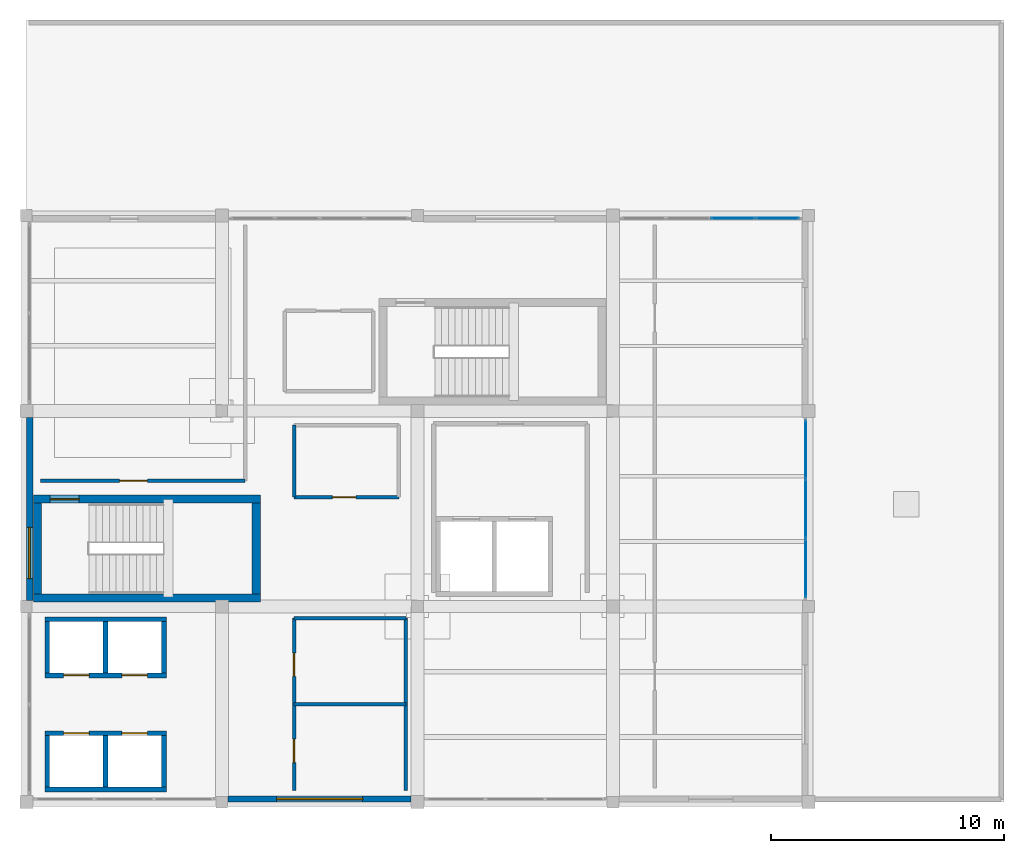
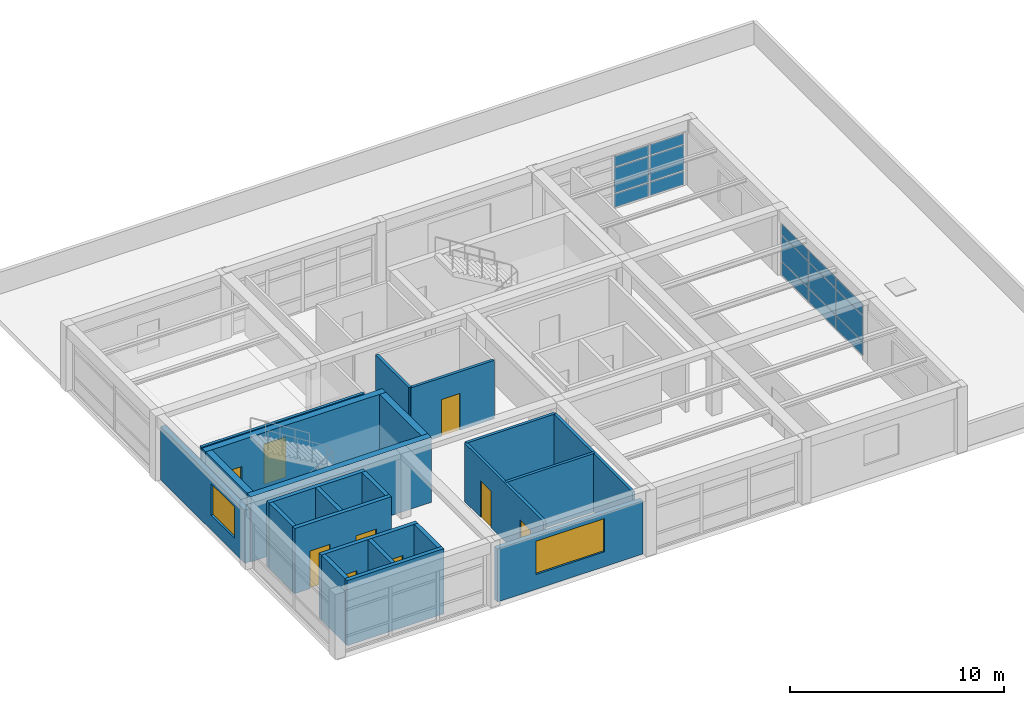
# One storey, part 19 of 22: 23 walls, 15 plates, 9 doors, 2 windows, 11 openings, 2 elements without a shape of their own.
"""IFC4 building model written with IfcOpenShell, lengths in metres."""

from ifc_helpers import new_model, si_unit, direction, frame, frame_2d, origin, origin_2d, place, context, subcontext, project, spatial, rectangle, extrude, material, layer, layer_set, type_object, element, fill, aggregate, save


model = new_model("IFC4")

# Units and contexts
model_context = context("Model", 3, precision=1e-05, world=origin(), true_north=direction((0.0, 1.0)))
body_context = subcontext(model_context, "Body", "Model", "MODEL_VIEW")
ifc_project = project(units=[si_unit("LENGTHUNIT", "METRE"), si_unit("AREAUNIT", "SQUARE_METRE"), si_unit("VOLUMEUNIT", "CUBIC_METRE"), si_unit("PLANEANGLEUNIT", "RADIAN"), si_unit("MASSUNIT", "GRAM", prefix="KILO")], contexts=[model_context])

# Site, building, storey
site_placement = place(None, origin())
site = spatial("IfcSite", under=ifc_project, at=site_placement, CompositionType="ELEMENT")
building_placement = place(site_placement, origin())
building = spatial("IfcBuilding", under=site, at=building_placement, Name="Almacenes y Pasaje Nevantli", CompositionType="ELEMENT")
storey_placement = place(building_placement, frame((0.0, 0.0, 58.699951171875)))
storey = spatial("IfcBuildingStorey", under=building, at=storey_placement, Name="L14", CompositionType="ELEMENT", Elevation=58.699951171875)

# Curtain wall, plates
ifc_material_1 = material(Name="Thermally Broken Aluminium and Low-E Glass", Category="aluminium")
curtain_wall_type = type_object("IfcCurtainWallType", Name="CW-UNIT-TOWER", PredefinedType="USERDEFINED", material=ifc_material_1)
curtain_wall_1_placement = place(storey_placement, origin())
curtain_wall_1 = element("IfcCurtainWall", 1, at=curtain_wall_1_placement, inside=storey, type_object=curtain_wall_type, Name="L14 Tower North Boulevard Unitized Curtain Wall Bay 18", ObjectType="UNITIZED CURTAIN WALL", PredefinedType="USERDEFINED")
ifc_material_2 = material(Name="Acoustic Tempered Low-E Triple Glazed Unit", Category="glass")
ifc_layer_1 = layer(ifc_material_2, 0.0419921875)
ifc_layer_set_1 = layer_set([ifc_layer_1], Name="Acoustic Tempered Low-E Triple Glazed Unit")
plate_type = type_object("IfcPlateType", Name="PL-IGU-42", PredefinedType="CURTAIN_PANEL", material=ifc_layer_set_1)
plate_1_placement = place(storey_placement, frame((147.96240234375, 92.280029296875, 0.065185546875), z_axis=(0.0, 0.0, 1.0), x_axis=(1.0, 0.0, 0.0)))
plate_1 = element("IfcPlate", 2, at=plate_1_placement, type_object=plate_type, Name="CW-L14-180 panel 3.1", PredefinedType="CURTAIN_PANEL", context=body_context, shape_type="SweptSolid", body=[
    extrude(rectangle(XDim=1.860107421875, YDim=0.0419921875, at=origin_2d()), origin(), (0.0, 0.0, 1.0), 0.75244140625),
])
plate_2_placement = place(storey_placement, frame((147.96240234375, 92.280029296875, 0.882568359375), z_axis=(0.0, 0.0, 1.0), x_axis=(1.0, 0.0, 0.0)))
plate_2 = element("IfcPlate", 3, at=plate_2_placement, type_object=plate_type, Name="CW-L14-180 panel 3.2", PredefinedType="CURTAIN_PANEL", context=body_context, shape_type="SweptSolid", body=[
    extrude(rectangle(XDim=1.860107421875, YDim=0.0419921875, at=origin_2d()), origin(), (0.0, 0.0, 1.0), 1.43505859375),
])
plate_3_placement = place(storey_placement, frame((147.96240234375, 92.280029296875, 2.38232421875), z_axis=(0.0, 0.0, 1.0), x_axis=(1.0, 0.0, 0.0)))
plate_3 = element("IfcPlate", 4, at=plate_3_placement, type_object=plate_type, Name="CW-L14-180 panel 3.3", PredefinedType="CURTAIN_PANEL", context=body_context, shape_type="SweptSolid", body=[
    extrude(rectangle(XDim=1.860107421875, YDim=0.0419921875, at=origin_2d()), origin(), (0.0, 0.0, 1.0), 0.592529296875),
])
plate_4_placement = place(storey_placement, frame((149.871337890625, 92.280029296875, 0.065185546875), z_axis=(0.0, 0.0, 1.0), x_axis=(1.0, 0.0, 0.0)))
plate_4 = element("IfcPlate", 5, at=plate_4_placement, type_object=plate_type, Name="CW-L14-180 panel 4.1", PredefinedType="CURTAIN_PANEL", context=body_context, shape_type="SweptSolid", body=[
    extrude(rectangle(XDim=1.827392578125, YDim=0.0419921875, at=origin_2d()), origin(), (0.0, 0.0, 1.0), 0.75244140625),
])
plate_5_placement = place(storey_placement, frame((149.871337890625, 92.280029296875, 0.882568359375), z_axis=(0.0, 0.0, 1.0), x_axis=(1.0, 0.0, 0.0)))
plate_5 = element("IfcPlate", 6, at=plate_5_placement, type_object=plate_type, Name="CW-L14-180 panel 4.2", PredefinedType="CURTAIN_PANEL", context=body_context, shape_type="SweptSolid", body=[
    extrude(rectangle(XDim=1.827392578125, YDim=0.0419921875, at=origin_2d()), origin(), (0.0, 0.0, 1.0), 1.43505859375),
])
plate_6_placement = place(storey_placement, frame((149.871337890625, 92.280029296875, 2.38232421875), z_axis=(0.0, 0.0, 1.0), x_axis=(1.0, 0.0, 0.0)))
plate_6 = element("IfcPlate", 7, at=plate_6_placement, type_object=plate_type, Name="CW-L14-180 panel 4.3", PredefinedType="CURTAIN_PANEL", context=body_context, shape_type="SweptSolid", body=[
    extrude(rectangle(XDim=1.827392578125, YDim=0.0419921875, at=origin_2d()), origin(), (0.0, 0.0, 1.0), 0.592529296875),
])
aggregate(curtain_wall_1, [plate_1, plate_2, plate_3, plate_4, plate_5, plate_6])

curtain_wall_2_placement = place(storey_placement, origin())
curtain_wall_2 = element("IfcCurtainWall", 8, at=curtain_wall_2_placement, inside=storey, type_object=curtain_wall_type, Name="L14 Tower East Curtain Wall Bay 10", ObjectType="UNITIZED CURTAIN WALL", PredefinedType="USERDEFINED")
plate_7_placement = place(storey_placement, frame((151.080078125, 77.248291015625, 0.06005859375), z_axis=(0.0, 0.0, 1.0), x_axis=(0.0, 1.0, 0.0)))
plate_7 = element("IfcPlate", 9, at=plate_7_placement, type_object=plate_type, Name="CW-L14-182 panel 1.1", PredefinedType="CURTAIN_PANEL", context=body_context, shape_type="SweptSolid", body=[
    extrude(rectangle(XDim=2.4765625, YDim=0.0419921875, at=origin_2d()), origin(), (0.0, 0.0, 1.0), 0.760009765625),
])
plate_8_placement = place(storey_placement, frame((151.080078125, 77.248291015625, 0.880126953125), z_axis=(0.0, 0.0, 1.0), x_axis=(0.0, 1.0, 0.0)))
plate_8 = element("IfcPlate", 10, at=plate_8_placement, type_object=plate_type, Name="CW-L14-182 panel 1.2", PredefinedType="CURTAIN_PANEL", context=body_context, shape_type="SweptSolid", body=[
    extrude(rectangle(XDim=2.4765625, YDim=0.0419921875, at=origin_2d()), origin(), (0.0, 0.0, 1.0), 1.43994140625),
])
plate_9_placement = place(storey_placement, frame((151.080078125, 77.248291015625, 2.3798828125), z_axis=(0.0, 0.0, 1.0), x_axis=(0.0, 1.0, 0.0)))
plate_9 = element("IfcPlate", 11, at=plate_9_placement, type_object=plate_type, Name="CW-L14-182 panel 1.3", PredefinedType="CURTAIN_PANEL", context=body_context, shape_type="SweptSolid", body=[
    extrude(rectangle(XDim=2.4765625, YDim=0.0419921875, at=origin_2d()), origin(), (0.0, 0.0, 1.0), 0.60009765625),
])
plate_10_placement = place(storey_placement, frame((151.080078125, 79.800048828125, 0.06005859375), z_axis=(0.0, 0.0, 1.0), x_axis=(0.0, 1.0, 0.0)))
plate_10 = element("IfcPlate", 12, at=plate_10_placement, type_object=plate_type, Name="CW-L14-182 panel 2.1", PredefinedType="CURTAIN_PANEL", context=body_context, shape_type="SweptSolid", body=[
    extrude(rectangle(XDim=2.506591796875, YDim=0.0419921875, at=origin_2d()), origin(), (0.0, 0.0, 1.0), 0.760009765625),
])
plate_11_placement = place(storey_placement, frame((151.080078125, 79.800048828125, 0.880126953125), z_axis=(0.0, 0.0, 1.0), x_axis=(0.0, 1.0, 0.0)))
plate_11 = element("IfcPlate", 13, at=plate_11_placement, type_object=plate_type, Name="CW-L14-182 panel 2.2", PredefinedType="CURTAIN_PANEL", context=body_context, shape_type="SweptSolid", body=[
    extrude(rectangle(XDim=2.506591796875, YDim=0.0419921875, at=origin_2d()), origin(), (0.0, 0.0, 1.0), 1.43994140625),
])
plate_12_placement = place(storey_placement, frame((151.080078125, 79.800048828125, 2.3798828125), z_axis=(0.0, 0.0, 1.0), x_axis=(0.0, 1.0, 0.0)))
plate_12 = element("IfcPlate", 14, at=plate_12_placement, type_object=plate_type, Name="CW-L14-182 panel 2.3", PredefinedType="CURTAIN_PANEL", context=body_context, shape_type="SweptSolid", body=[
    extrude(rectangle(XDim=2.506591796875, YDim=0.0419921875, at=origin_2d()), origin(), (0.0, 0.0, 1.0), 0.60009765625),
])
plate_13_placement = place(storey_placement, frame((151.080078125, 82.3515625, 0.06005859375), z_axis=(0.0, 0.0, 1.0), x_axis=(0.0, 1.0, 0.0)))
plate_13 = element("IfcPlate", 15, at=plate_13_placement, type_object=plate_type, Name="CW-L14-182 panel 3.1", PredefinedType="CURTAIN_PANEL", context=body_context, shape_type="SweptSolid", body=[
    extrude(rectangle(XDim=2.4765625, YDim=0.0419921875, at=origin_2d()), origin(), (0.0, 0.0, 1.0), 0.760009765625),
])
plate_14_placement = place(storey_placement, frame((151.080078125, 82.3515625, 0.880126953125), z_axis=(0.0, 0.0, 1.0), x_axis=(0.0, 1.0, 0.0)))
plate_14 = element("IfcPlate", 16, at=plate_14_placement, type_object=plate_type, Name="CW-L14-182 panel 3.2", PredefinedType="CURTAIN_PANEL", context=body_context, shape_type="SweptSolid", body=[
    extrude(rectangle(XDim=2.4765625, YDim=0.0419921875, at=origin_2d()), origin(), (0.0, 0.0, 1.0), 1.43994140625),
])
plate_15_placement = place(storey_placement, frame((151.080078125, 82.3515625, 2.3798828125), z_axis=(0.0, 0.0, 1.0), x_axis=(0.0, 1.0, 0.0)))
plate_15 = element("IfcPlate", 17, at=plate_15_placement, type_object=plate_type, Name="CW-L14-182 panel 3.3", PredefinedType="CURTAIN_PANEL", context=body_context, shape_type="SweptSolid", body=[
    extrude(rectangle(XDim=2.4765625, YDim=0.0419921875, at=origin_2d()), origin(), (0.0, 0.0, 1.0), 0.60009765625),
])
aggregate(curtain_wall_2, [plate_7, plate_8, plate_9, plate_10, plate_11, plate_12, plate_13, plate_14, plate_15])

# Wall
ifc_material_3 = material(Name="Concrete C45/55", Category="concrete")
ifc_layer_2 = layer(ifc_material_3, 0.35009765625)
ifc_layer_set_2 = layer_set([ifc_layer_2], Name="Concrete C45/55")
wall_type_1 = type_object("IfcWallType", Name="WL-CORE-350", PredefinedType="SHEAR", material=ifc_layer_set_2)
wall_1_placement = place(storey_placement, frame((117.89990234375, 75.97509765625, 0.0), z_axis=(0.0, 0.0, 1.0), x_axis=(1.0, 0.0, 0.0)))
element("IfcWall", 18, at=wall_1_placement, inside=storey, type_object=wall_type_1, Name="L14 Exit Stair ST-01 South Core Shear Wall", PredefinedType="SHEAR", context=body_context, shape_type="SweptSolid", body=[
    extrude(rectangle(XDim=9.75, YDim=0.35009765625, at=frame_2d((4.875, 0.0))), origin(), (0.0, 0.0, 1.0), 3.719970703125),
])

# Wall, opening, door
wall_2_placement = place(storey_placement, frame((117.89990234375, 80.215087890625, 0.0), z_axis=(0.0, 0.0, 1.0), x_axis=(1.0, 0.0, 0.0)))
wall_2 = element("IfcWall", 19, at=wall_2_placement, inside=storey, type_object=wall_type_1, Name="L14 Exit Stair ST-01 North Core Shear Wall", PredefinedType="SHEAR", context=body_context, shape_type="SweptSolid", body=[
    extrude(rectangle(XDim=9.75, YDim=0.35009765625, at=frame_2d((4.875, 0.0))), origin(), (0.0, 0.0, 1.0), 3.719970703125),
])
opening_1_placement = place(wall_2_placement, frame((0.719970703125, 0.0, 0.0)))
opening_1 = element("IfcOpeningElement", 20, at=opening_1_placement, cuts=wall_2, Name="Opening SD-01-L14", PredefinedType="OPENING", context=body_context, shape_type="SweptSolid", body=[
    extrude(rectangle(XDim=1.25, YDim=2.199951171875, at=frame_2d((0.625, 1.10009765625))), frame((0.0, 0.18505859375, 0.0), z_axis=(0.0, -1.0, 0.0), x_axis=(1.0, 0.0, 0.0)), (0.0, 0.0, 1.0), 0.3701171875),
])
ifc_material_4 = material(Name="Galvanized Fire-Rated Steel", Category="steel")
door_type_1 = type_object("IfcDoorType", Name="DR-STAIR-1250", OperationType="SINGLE_SWING_LEFT", PredefinedType="DOOR", material=ifc_material_4)
door_1_placement = place(opening_1_placement, origin())
door_1 = element("IfcDoor", 21, at=door_1_placement, inside=storey, type_object=door_type_1, Name="L14 Smokeproof Exit Stair ST-01 Fire Door", OperationType="SINGLE_SWING_LEFT", OverallHeight=2.199951171875, OverallWidth=1.25, PredefinedType="DOOR", context=body_context, shape_type="SweptSolid", body=[
    extrude(rectangle(XDim=1.25, YDim=2.199951171875, at=frame_2d((0.625, 1.10009765625))), frame((0.0, 0.02490234375, 0.0), z_axis=(0.0, -1.0, 0.0), x_axis=(1.0, 0.0, 0.0)), (0.0, 0.0, 1.0), 0.050048828125),
])
fill(opening_1, door_1)

# Walls
for number, where, z_axis, x_axis, name in (
    (22, (118.074951171875, 76.14990234375, 0.0), (0.0, 0.0, 1.0), (0.0, 1.0, 0.0), "L14 Exit Stair ST-01 West Core Shear Wall"),
    (23, (127.47509765625, 76.14990234375, 0.0), (0.0, 0.0, 1.0), (0.0, 1.0, 0.0), "L14 Exit Stair ST-01 East Core Shear Wall"),
):
    element("IfcWall", number, at=place(storey_placement, frame(where, z_axis=z_axis, x_axis=x_axis)), inside=storey, type_object=wall_type_1, Name=name, PredefinedType="SHEAR", context=body_context, shape_type="SweptSolid", body=[
        extrude(rectangle(XDim=3.89013671875, YDim=0.35009765625, at=frame_2d((1.945068359375, 0.0))), origin(), (0.0, 0.0, 1.0), 3.719970703125),
    ])

# Wall, opening, window
ifc_material_5 = material(Name="Architectural Precast Concrete C35/45 Spandrel Wall", Category="concrete")
ifc_layer_3 = layer(ifc_material_5, 0.280029296875)
ifc_layer_set_3 = layer_set([ifc_layer_3], Name="Architectural Precast Concrete C35/45 Spandrel Wall")
wall_type_2 = type_object("IfcWallType", Name="WL-EXT-CANTERA-280", PredefinedType="SOLIDWALL", material=ifc_layer_set_3)
wall_3_placement = place(storey_placement, frame((117.739990234375, 75.85205078125, 0.0), z_axis=(0.0, 0.0, 1.0), x_axis=(0.0, 1.0, 0.0)))
wall_3 = element("IfcWall", 24, at=wall_3_placement, inside=storey, type_object=wall_type_2, Name="L14 Tower West Cantera Wall Bay 10", PredefinedType="SOLIDWALL", context=body_context, shape_type="SweptSolid", body=[
    extrude(rectangle(XDim=7.869873046875, YDim=0.280029296875, at=frame_2d((3.93505859375, 0.0))), origin(), (0.0, 0.0, 1.0), 3.0400390625),
])
opening_2_placement = place(wall_3_placement, frame((0.947998046875, 0.0, 0.85009765625)))
opening_2 = element("IfcOpeningElement", 25, at=opening_2_placement, cuts=wall_3, Name="Opening WT-31-273", PredefinedType="OPENING", context=body_context, shape_type="SweptSolid", body=[
    extrude(rectangle(XDim=2.199951171875, YDim=1.800048828125, at=frame_2d((1.10009765625, 0.89990234375))), frame((0.0, 0.14990234375, 0.0), z_axis=(0.0, -1.0, 0.0), x_axis=(1.0, 0.0, 0.0)), (0.0, 0.0, 1.0), 0.300048828125),
])
ifc_material_6 = material(Name="Thermally Broken Aluminium and Low-E Double Glazing", Category="aluminium")
window_type_1 = type_object("IfcWindowType", Name="WN-TWR-2200x1800", PartitioningType="SINGLE_PANEL", PredefinedType="WINDOW", material=ifc_material_6)
window_1_placement = place(opening_2_placement, origin())
window_1 = element("IfcWindow", 26, at=window_1_placement, inside=storey, type_object=window_type_1, Name="L14 Exterior Window WT-31 #273", OverallHeight=1.800048828125, OverallWidth=2.199951171875, PartitioningType="SINGLE_PANEL", PredefinedType="WINDOW", context=body_context, shape_type="SweptSolid", body=[
    extrude(rectangle(XDim=2.199951171875, YDim=1.800048828125, at=frame_2d((1.10009765625, 0.89990234375))), frame((0.0, 0.030029296875, 0.0), z_axis=(0.0, -1.0, 0.0), x_axis=(1.0, 0.0, 0.0)), (0.0, 0.0, 1.0), 0.06005859375),
])
fill(opening_2, window_1)

ifc_material_7 = material(Name="Cream Architectural Precast Concrete C35/45 Wall", Category="concrete")
ifc_layer_4 = layer(ifc_material_7, 0.260009765625)
ifc_layer_set_4 = layer_set([ifc_layer_4], Name="Cream Architectural Precast Concrete C35/45 Wall")
wall_type_3 = type_object("IfcWallType", Name="WL-EXT-PRECAST-260", PredefinedType="SOLIDWALL", material=ifc_layer_set_4)
wall_4_placement = place(storey_placement, frame((126.25390625, 67.340087890625, 0.0), z_axis=(0.0, 0.0, 1.0), x_axis=(1.0, 0.0, 0.0)))
wall_4 = element("IfcWall", 27, at=wall_4_placement, inside=storey, type_object=wall_type_3, Name="L14 Tower South Precast Spandrel Wall Bay 16", PredefinedType="SOLIDWALL", context=body_context, shape_type="SweptSolid", body=[
    extrude(rectangle(XDim=7.8681640625, YDim=0.260009765625, at=frame_2d((3.93408203125, 0.0))), origin(), (0.0, 0.0, 1.0), 3.0400390625),
])
opening_3_placement = place(wall_4_placement, frame((2.095947265625, 0.0, 0.85009765625)))
opening_3 = element("IfcOpeningElement", 28, at=opening_3_placement, cuts=wall_4, Name="Opening WT-26-269", PredefinedType="OPENING", context=body_context, shape_type="SweptSolid", body=[
    extrude(rectangle(XDim=3.699951171875, YDim=1.89990234375, at=frame_2d((1.85009765625, 0.949951171875))), frame((0.0, 0.139892578125, 0.0), z_axis=(0.0, -1.0, 0.0), x_axis=(1.0, 0.0, 0.0)), (0.0, 0.0, 1.0), 0.280029296875),
])
ifc_material_8 = material(Name="Thermally Broken Aluminium and Low-E Double Glazing", Category="aluminium")
window_type_2 = type_object("IfcWindowType", Name="WN-TWR-3700x1900", PartitioningType="SINGLE_PANEL", PredefinedType="WINDOW", material=ifc_material_8)
window_2_placement = place(opening_3_placement, origin())
window_2 = element("IfcWindow", 29, at=window_2_placement, inside=storey, type_object=window_type_2, Name="L14 Exterior Window WT-26 #269", OverallHeight=1.89990234375, OverallWidth=3.699951171875, PartitioningType="SINGLE_PANEL", PredefinedType="WINDOW", context=body_context, shape_type="SweptSolid", body=[
    extrude(rectangle(XDim=3.699951171875, YDim=1.89990234375, at=frame_2d((1.85009765625, 0.949951171875))), frame((0.0, 0.030029296875, 0.0), z_axis=(0.0, -1.0, 0.0), x_axis=(1.0, 0.0, 0.0)), (0.0, 0.0, 1.0), 0.06005859375),
])
fill(opening_3, window_2)

# Wall, opening, door
ifc_material_9 = material(Name="Acoustic Steel-Stud Gypsum Partition", Category="steel")
ifc_layer_5 = layer(ifc_material_9, 0.14990234375)
ifc_layer_set_5 = layer_set([ifc_layer_5], Name="Acoustic Steel-Stud Gypsum Partition")
wall_type_4 = type_object("IfcWallType", Name="WL-PART-150", PredefinedType="PARTITIONING", material=ifc_layer_set_5)
wall_5_placement = place(storey_placement, frame((129.10009765625, 80.300048828125, 0.0), z_axis=(0.0, 0.0, 1.0), x_axis=(1.0, 0.0, 0.0)))
wall_5 = element("IfcWall", 30, at=wall_5_placement, inside=storey, type_object=wall_type_4, Name="L14 Interior Partition Wall IW-150 #243", PredefinedType="PARTITIONING", context=body_context, shape_type="SweptSolid", body=[
    extrude(rectangle(XDim=4.5, YDim=0.14990234375, at=frame_2d((2.25, 0.0))), origin(), (0.0, 0.0, 1.0), 3.340087890625),
])
opening_4_placement = place(wall_5_placement, frame((1.64990234375, 0.0, 0.0)))
opening_4 = element("IfcOpeningElement", 31, at=opening_4_placement, cuts=wall_5, Name="Opening ID-L14-130", PredefinedType="OPENING", context=body_context, shape_type="SweptSolid", body=[
    extrude(rectangle(XDim=1.0, YDim=2.10009765625, at=frame_2d((0.5, 1.050048828125))), frame((0.0, 0.0849609375, 0.0), z_axis=(0.0, -1.0, 0.0), x_axis=(1.0, 0.0, 0.0)), (0.0, 0.0, 1.0), 0.169921875),
])
ifc_material_10 = material(Name="Powder-Coated Hollow Metal", Category="steel")
door_type_2 = type_object("IfcDoorType", Name="DR-INT-1000", OperationType="SINGLE_SWING_LEFT", PredefinedType="DOOR", material=ifc_material_10)
door_2_placement = place(opening_4_placement, origin())
door_2 = element("IfcDoor", 32, at=door_2_placement, inside=storey, type_object=door_type_2, Name="L14 Staff and Public WC Door", OperationType="SINGLE_SWING_LEFT", OverallHeight=2.10009765625, OverallWidth=1.0, PredefinedType="DOOR", context=body_context, shape_type="SweptSolid", body=[
    extrude(rectangle(XDim=1.0, YDim=2.10009765625, at=frame_2d((0.5, 1.050048828125))), frame((0.0, 0.02490234375, 0.0), z_axis=(0.0, -1.0, 0.0), x_axis=(1.0, 0.0, 0.0)), (0.0, 0.0, 1.0), 0.050048828125),
])
fill(opening_4, door_2)

# Wall
wall_6_placement = place(storey_placement, frame((129.10009765625, 80.300048828125, 0.0), z_axis=(0.0, 0.0, 1.0), x_axis=(0.0, 1.0, 0.0)))
element("IfcWall", 33, at=wall_6_placement, inside=storey, type_object=wall_type_4, Name="L14 Interior Partition Wall IW-150 #245", PredefinedType="PARTITIONING", context=body_context, shape_type="SweptSolid", body=[
    extrude(rectangle(XDim=3.099853515625, YDim=0.14990234375, at=frame_2d((1.5498046875, 0.0))), origin(), (0.0, 0.0, 1.0), 3.340087890625),
])

# Wall, openings, doors
wall_7_placement = place(storey_placement, frame((129.10009765625, 67.699951171875, 0.0), z_axis=(0.0, 0.0, 1.0), x_axis=(0.0, 1.0, 0.0)))
wall_7 = element("IfcWall", 34, at=wall_7_placement, inside=storey, type_object=wall_type_4, Name="L14 Interior Partition Wall IW-150 #251", PredefinedType="PARTITIONING", context=body_context, shape_type="SweptSolid", body=[
    extrude(rectangle(XDim=7.400146484375, YDim=0.14990234375, at=frame_2d((3.7001953125, 0.0))), origin(), (0.0, 0.0, 1.0), 3.340087890625),
])
opening_5_placement = place(wall_7_placement, frame((1.199951171875, 0.0, 0.0)))
opening_5 = element("IfcOpeningElement", 35, at=opening_5_placement, cuts=wall_7, Name="Opening ID-L14-132", PredefinedType="OPENING", context=body_context, shape_type="SweptSolid", body=[
    extrude(rectangle(XDim=1.0, YDim=2.10009765625, at=frame_2d((0.5, 1.050048828125))), frame((0.0, 0.0849609375, 0.0), z_axis=(0.0, -1.0, 0.0), x_axis=(1.0, 0.0, 0.0)), (0.0, 0.0, 1.0), 0.169921875),
])
opening_6_placement = place(wall_7_placement, frame((4.89990234375, 0.0, 0.0)))
opening_6 = element("IfcOpeningElement", 36, at=opening_6_placement, cuts=wall_7, Name="Opening ID-L14-133", PredefinedType="OPENING", context=body_context, shape_type="SweptSolid", body=[
    extrude(rectangle(XDim=1.0, YDim=2.10009765625, at=frame_2d((0.5, 1.050048828125))), frame((0.0, 0.0849609375, 0.0), z_axis=(0.0, -1.0, 0.0), x_axis=(1.0, 0.0, 0.0)), (0.0, 0.0, 1.0), 0.169921875),
])
door_3_placement = place(opening_5_placement, origin())
door_3 = element("IfcDoor", 37, at=door_3_placement, inside=storey, type_object=door_type_2, Name="L14 Archive Room Door", OperationType="SINGLE_SWING_LEFT", OverallHeight=2.10009765625, OverallWidth=1.0, PredefinedType="DOOR", context=body_context, shape_type="SweptSolid", body=[
    extrude(rectangle(XDim=1.0, YDim=2.10009765625, at=frame_2d((0.5, 1.050048828125))), frame((0.0, 0.02490234375, 0.0), z_axis=(0.0, -1.0, 0.0), x_axis=(1.0, 0.0, 0.0)), (0.0, 0.0, 1.0), 0.050048828125),
])
fill(opening_5, door_3)
ifc_material_11 = material(Name="Powder-Coated Hollow Metal", Category="steel")
door_type_3 = type_object("IfcDoorType", Name="DR-INT-1000R", OperationType="SINGLE_SWING_RIGHT", PredefinedType="DOOR", material=ifc_material_11)
door_4_placement = place(opening_6_placement, origin())
door_4 = element("IfcDoor", 38, at=door_4_placement, inside=storey, type_object=door_type_3, Name="L14 IT Server Room Door", OperationType="SINGLE_SWING_RIGHT", OverallHeight=2.10009765625, OverallWidth=1.0, PredefinedType="DOOR", context=body_context, shape_type="SweptSolid", body=[
    extrude(rectangle(XDim=1.0, YDim=2.10009765625, at=frame_2d((0.5, 1.050048828125))), frame((0.0, 0.02490234375, 0.0), z_axis=(0.0, -1.0, 0.0), x_axis=(1.0, 0.0, 0.0)), (0.0, 0.0, 1.0), 0.050048828125),
])
fill(opening_6, door_4)

# Walls
wall_8_placement = place(storey_placement, frame((129.10009765625, 71.39990234375, 0.0), z_axis=(0.0, 0.0, 1.0), x_axis=(1.0, 0.0, 0.0)))
element("IfcWall", 39, at=wall_8_placement, inside=storey, type_object=wall_type_4, Name="L14 Interior Partition Wall IW-150 #252", PredefinedType="PARTITIONING", context=body_context, shape_type="SweptSolid", body=[
    extrude(rectangle(XDim=4.7998046875, YDim=0.14990234375, at=frame_2d((2.39990234375, 0.0))), origin(), (0.0, 0.0, 1.0), 3.340087890625),
])
wall_9_placement = place(storey_placement, frame((133.89990234375, 67.699951171875, 0.0), z_axis=(0.0, 0.0, 1.0), x_axis=(0.0, 1.0, 0.0)))
element("IfcWall", 40, at=wall_9_placement, inside=storey, type_object=wall_type_4, Name="L14 Interior Partition Wall IW-150 #253", PredefinedType="PARTITIONING", context=body_context, shape_type="SweptSolid", body=[
    extrude(rectangle(XDim=7.400146484375, YDim=0.14990234375, at=frame_2d((3.7001953125, 0.0))), origin(), (0.0, 0.0, 1.0), 3.340087890625),
])
wall_10_placement = place(storey_placement, frame((129.10009765625, 75.10009765625, 0.0), z_axis=(0.0, 0.0, 1.0), x_axis=(1.0, 0.0, 0.0)))
element("IfcWall", 41, at=wall_10_placement, inside=storey, type_object=wall_type_4, Name="L14 Interior Partition Wall IW-150 #254", PredefinedType="PARTITIONING", context=body_context, shape_type="SweptSolid", body=[
    extrude(rectangle(XDim=4.7998046875, YDim=0.14990234375, at=frame_2d((2.39990234375, 0.0))), origin(), (0.0, 0.0, 1.0), 3.340087890625),
])

# Wall, opening, door
wall_11_placement = place(storey_placement, frame((118.199951171875, 81.0, 0.0), z_axis=(0.0, 0.0, 1.0), x_axis=(1.0, 0.0, 0.0)))
wall_11 = element("IfcWall", 42, at=wall_11_placement, inside=storey, type_object=wall_type_4, Name="L14 Interior Partition Wall IW-150 #256", PredefinedType="PARTITIONING", context=body_context, shape_type="SweptSolid", body=[
    extrude(rectangle(XDim=8.800048828125, YDim=0.14990234375, at=frame_2d((4.39990234375, 0.0))), origin(), (0.0, 0.0, 1.0), 3.340087890625),
])
opening_7_placement = place(wall_11_placement, frame((3.39990234375, 0.0, 0.0)))
opening_7 = element("IfcOpeningElement", 43, at=opening_7_placement, cuts=wall_11, Name="Opening ID-L14-136", PredefinedType="OPENING", context=body_context, shape_type="SweptSolid", body=[
    extrude(rectangle(XDim=1.199951171875, YDim=2.300048828125, at=frame_2d((0.60009765625, 1.14990234375))), frame((0.0, 0.0849609375, 0.0), z_axis=(0.0, -1.0, 0.0), x_axis=(1.0, 0.0, 0.0)), (0.0, 0.0, 1.0), 0.169921875),
])
ifc_material_12 = material(Name="Anodized Aluminium and Tempered Acoustic Glass", Category="aluminium")
door_type_4 = type_object("IfcDoorType", Name="DR-ACU-1200", OperationType="SINGLE_SWING_LEFT", PredefinedType="DOOR", material=ifc_material_12)
door_5_placement = place(opening_7_placement, origin())
door_5 = element("IfcDoor", 44, at=door_5_placement, inside=storey, type_object=door_type_4, Name="L14 L14 Executive Boardroom Door", OperationType="SINGLE_SWING_LEFT", OverallHeight=2.300048828125, OverallWidth=1.199951171875, PredefinedType="DOOR", context=body_context, shape_type="SweptSolid", body=[
    extrude(rectangle(XDim=1.199951171875, YDim=2.300048828125, at=frame_2d((0.60009765625, 1.14990234375))), frame((0.0, 0.02490234375, 0.0), z_axis=(0.0, -1.0, 0.0), x_axis=(1.0, 0.0, 0.0)), (0.0, 0.0, 1.0), 0.050048828125),
])
fill(opening_7, door_5)

# Wall
ifc_material_13 = material(Name="Concrete C45/55", Category="concrete")
ifc_layer_6 = layer(ifc_material_13, 0.2099609375)
ifc_layer_set_6 = layer_set([ifc_layer_6], Name="Concrete C45/55")
wall_type_5 = type_object("IfcWallType", Name="WL-SHAFT-210", PredefinedType="SHEAR", material=ifc_layer_set_6)
wall_12_placement = place(storey_placement, frame((118.389892578125, 67.7451171875, 0.0), z_axis=(0.0, 0.0, 1.0), x_axis=(1.0, 0.0, 0.0)))
element("IfcWall", 45, at=wall_12_placement, inside=storey, type_object=wall_type_5, Name="L14 Lift Hoistway ELV-P05-ELV-P06 South Wall", PredefinedType="SHEAR", context=body_context, shape_type="SweptSolid", body=[
    extrude(rectangle(XDim=5.22021484375, YDim=0.2099609375, at=frame_2d((2.610107421875, 0.0))), origin(), (0.0, 0.0, 1.0), 3.719970703125),
])

# Wall, openings, doors
wall_13_placement = place(storey_placement, frame((118.389892578125, 70.155029296875, 0.0), z_axis=(0.0, 0.0, 1.0), x_axis=(1.0, 0.0, 0.0)))
wall_13 = element("IfcWall", 46, at=wall_13_placement, inside=storey, type_object=wall_type_5, Name="L14 Lift Hoistway ELV-P05-ELV-P06 North Wall", PredefinedType="SHEAR", context=body_context, shape_type="SweptSolid", body=[
    extrude(rectangle(XDim=5.22021484375, YDim=0.2099609375, at=frame_2d((2.610107421875, 0.0))), origin(), (0.0, 0.0, 1.0), 3.719970703125),
])
opening_8_placement = place(wall_13_placement, frame((0.81005859375, 0.0, 0.0)))
opening_8 = element("IfcOpeningElement", 47, at=opening_8_placement, cuts=wall_13, Name="Opening LD-P05-L14", PredefinedType="OPENING", context=body_context, shape_type="SweptSolid", body=[
    extrude(rectangle(XDim=1.10009765625, YDim=2.14990234375, at=frame_2d((0.550048828125, 1.074951171875))), frame((0.0, 0.114990234375, 0.0), z_axis=(0.0, -1.0, 0.0), x_axis=(1.0, 0.0, 0.0)), (0.0, 0.0, 1.0), 0.22998046875),
])
opening_9_placement = place(wall_13_placement, frame((3.31005859375, 0.0, 0.0)))
opening_9 = element("IfcOpeningElement", 48, at=opening_9_placement, cuts=wall_13, Name="Opening LD-P06-L14", PredefinedType="OPENING", context=body_context, shape_type="SweptSolid", body=[
    extrude(rectangle(XDim=1.10009765625, YDim=2.14990234375, at=frame_2d((0.550048828125, 1.074951171875))), frame((0.0, 0.114990234375, 0.0), z_axis=(0.0, -1.0, 0.0), x_axis=(1.0, 0.0, 0.0)), (0.0, 0.0, 1.0), 0.22998046875),
])
ifc_material_14 = material(Name="Brushed Stainless Steel", Category="steel")
door_type_5 = type_object("IfcDoorType", Name="DR-LD-PASS-1100", OperationType="DOUBLE_DOOR_SLIDING", PredefinedType="DOOR", material=ifc_material_14)
door_6_placement = place(opening_8_placement, origin())
door_6 = element("IfcDoor", 49, at=door_6_placement, inside=storey, type_object=door_type_5, Name="Lift Landing Door ELV-P05 L14", OperationType="DOUBLE_DOOR_SLIDING", OverallHeight=2.14990234375, OverallWidth=1.10009765625, PredefinedType="DOOR", context=body_context, shape_type="SweptSolid", body=[
    extrude(rectangle(XDim=1.10009765625, YDim=2.14990234375, at=frame_2d((0.550048828125, 1.074951171875))), frame((0.0, 0.02490234375, 0.0), z_axis=(0.0, -1.0, 0.0), x_axis=(1.0, 0.0, 0.0)), (0.0, 0.0, 1.0), 0.050048828125),
])
fill(opening_8, door_6)
door_7_placement = place(opening_9_placement, origin())
door_7 = element("IfcDoor", 50, at=door_7_placement, inside=storey, type_object=door_type_5, Name="Lift Landing Door ELV-P06 L14", OperationType="DOUBLE_DOOR_SLIDING", OverallHeight=2.14990234375, OverallWidth=1.10009765625, PredefinedType="DOOR", context=body_context, shape_type="SweptSolid", body=[
    extrude(rectangle(XDim=1.10009765625, YDim=2.14990234375, at=frame_2d((0.550048828125, 1.074951171875))), frame((0.0, 0.02490234375, 0.0), z_axis=(0.0, -1.0, 0.0), x_axis=(1.0, 0.0, 0.0)), (0.0, 0.0, 1.0), 0.050048828125),
])
fill(opening_9, door_7)

# Walls
for number, where, z_axis, x_axis, name in (
    (51, (118.4951171875, 67.85009765625, 0.0), (0.0, 0.0, 1.0), (0.0, 1.0, 0.0), "L14 Lift Hoistway ELV-P05 West Wall"),
    (52, (123.5048828125, 67.85009765625, 0.0), (0.0, 0.0, 1.0), (0.0, 1.0, 0.0), "L14 Lift Hoistway ELV-P06 East Wall"),
    (53, (121.0, 67.85009765625, 0.0), (0.0, 0.0, 1.0), (0.0, 1.0, 0.0), "L14 Lift Hoistway Divider Wall ELV-P05/ELV-P06"),
):
    element("IfcWall", number, at=place(storey_placement, frame(where, z_axis=z_axis, x_axis=x_axis)), inside=storey, type_object=wall_type_5, Name=name, PredefinedType="SHEAR", context=body_context, shape_type="SweptSolid", body=[
        extrude(rectangle(XDim=2.199951171875, YDim=0.2099609375, at=frame_2d((1.10009765625, 0.0))), origin(), (0.0, 0.0, 1.0), 3.719970703125),
    ])

# Wall, openings, doors
wall_14_placement = place(storey_placement, frame((118.389892578125, 72.64501953125, 0.0), z_axis=(0.0, 0.0, 1.0), x_axis=(1.0, 0.0, 0.0)))
wall_14 = element("IfcWall", 54, at=wall_14_placement, inside=storey, type_object=wall_type_5, Name="L14 Lift Hoistway ELV-P07-ELV-P08 South Wall", PredefinedType="SHEAR", context=body_context, shape_type="SweptSolid", body=[
    extrude(rectangle(XDim=5.22021484375, YDim=0.2099609375, at=frame_2d((2.610107421875, 0.0))), origin(), (0.0, 0.0, 1.0), 3.719970703125),
])
opening_10_placement = place(wall_14_placement, frame((0.81005859375, 0.0, 0.0)))
opening_10 = element("IfcOpeningElement", 55, at=opening_10_placement, cuts=wall_14, Name="Opening LD-P07-L14", PredefinedType="OPENING", context=body_context, shape_type="SweptSolid", body=[
    extrude(rectangle(XDim=1.10009765625, YDim=2.14990234375, at=frame_2d((0.550048828125, 1.074951171875))), frame((0.0, 0.114990234375, 0.0), z_axis=(0.0, -1.0, 0.0), x_axis=(1.0, 0.0, 0.0)), (0.0, 0.0, 1.0), 0.22998046875),
])
opening_11_placement = place(wall_14_placement, frame((3.31005859375, 0.0, 0.0)))
opening_11 = element("IfcOpeningElement", 56, at=opening_11_placement, cuts=wall_14, Name="Opening LD-P08-L14", PredefinedType="OPENING", context=body_context, shape_type="SweptSolid", body=[
    extrude(rectangle(XDim=1.10009765625, YDim=2.14990234375, at=frame_2d((0.550048828125, 1.074951171875))), frame((0.0, 0.114990234375, 0.0), z_axis=(0.0, -1.0, 0.0), x_axis=(1.0, 0.0, 0.0)), (0.0, 0.0, 1.0), 0.22998046875),
])
door_8_placement = place(opening_10_placement, origin())
door_8 = element("IfcDoor", 57, at=door_8_placement, inside=storey, type_object=door_type_5, Name="Lift Landing Door ELV-P07 L14", OperationType="DOUBLE_DOOR_SLIDING", OverallHeight=2.14990234375, OverallWidth=1.10009765625, PredefinedType="DOOR", context=body_context, shape_type="SweptSolid", body=[
    extrude(rectangle(XDim=1.10009765625, YDim=2.14990234375, at=frame_2d((0.550048828125, 1.074951171875))), frame((0.0, 0.02490234375, 0.0), z_axis=(0.0, -1.0, 0.0), x_axis=(1.0, 0.0, 0.0)), (0.0, 0.0, 1.0), 0.050048828125),
])
fill(opening_10, door_8)
door_9_placement = place(opening_11_placement, origin())
door_9 = element("IfcDoor", 58, at=door_9_placement, inside=storey, type_object=door_type_5, Name="Lift Landing Door ELV-P08 L14", OperationType="DOUBLE_DOOR_SLIDING", OverallHeight=2.14990234375, OverallWidth=1.10009765625, PredefinedType="DOOR", context=body_context, shape_type="SweptSolid", body=[
    extrude(rectangle(XDim=1.10009765625, YDim=2.14990234375, at=frame_2d((0.550048828125, 1.074951171875))), frame((0.0, 0.02490234375, 0.0), z_axis=(0.0, -1.0, 0.0), x_axis=(1.0, 0.0, 0.0)), (0.0, 0.0, 1.0), 0.050048828125),
])
fill(opening_11, door_9)

# Walls
wall_15_placement = place(storey_placement, frame((118.389892578125, 75.054931640625, 0.0), z_axis=(0.0, 0.0, 1.0), x_axis=(1.0, 0.0, 0.0)))
element("IfcWall", 59, at=wall_15_placement, inside=storey, type_object=wall_type_5, Name="L14 Lift Hoistway ELV-P07-ELV-P08 North Wall", PredefinedType="SHEAR", context=body_context, shape_type="SweptSolid", body=[
    extrude(rectangle(XDim=5.22021484375, YDim=0.2099609375, at=frame_2d((2.610107421875, 0.0))), origin(), (0.0, 0.0, 1.0), 3.719970703125),
])
for number, where, z_axis, x_axis, name in (
    (60, (118.4951171875, 72.75, 0.0), (0.0, 0.0, 1.0), (0.0, 1.0, 0.0), "L14 Lift Hoistway ELV-P07 West Wall"),
    (61, (123.5048828125, 72.75, 0.0), (0.0, 0.0, 1.0), (0.0, 1.0, 0.0), "L14 Lift Hoistway ELV-P08 East Wall"),
    (62, (121.0, 72.75, 0.0), (0.0, 0.0, 1.0), (0.0, 1.0, 0.0), "L14 Lift Hoistway Divider Wall ELV-P07/ELV-P08"),
):
    element("IfcWall", number, at=place(storey_placement, frame(where, z_axis=z_axis, x_axis=x_axis)), inside=storey, type_object=wall_type_5, Name=name, PredefinedType="SHEAR", context=body_context, shape_type="SweptSolid", body=[
        extrude(rectangle(XDim=2.199951171875, YDim=0.2099609375, at=frame_2d((1.10009765625, 0.0))), origin(), (0.0, 0.0, 1.0), 3.719970703125),
    ])

save(model, "model.ifc")
